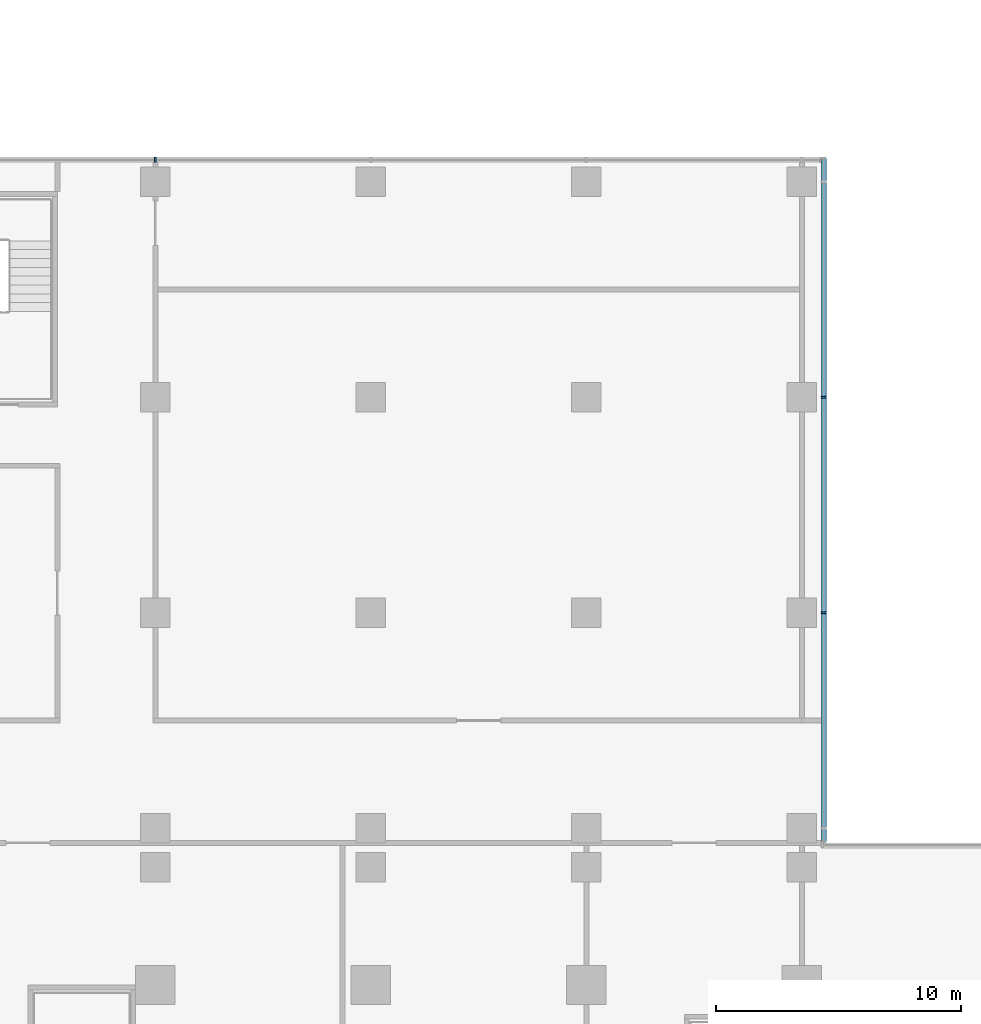
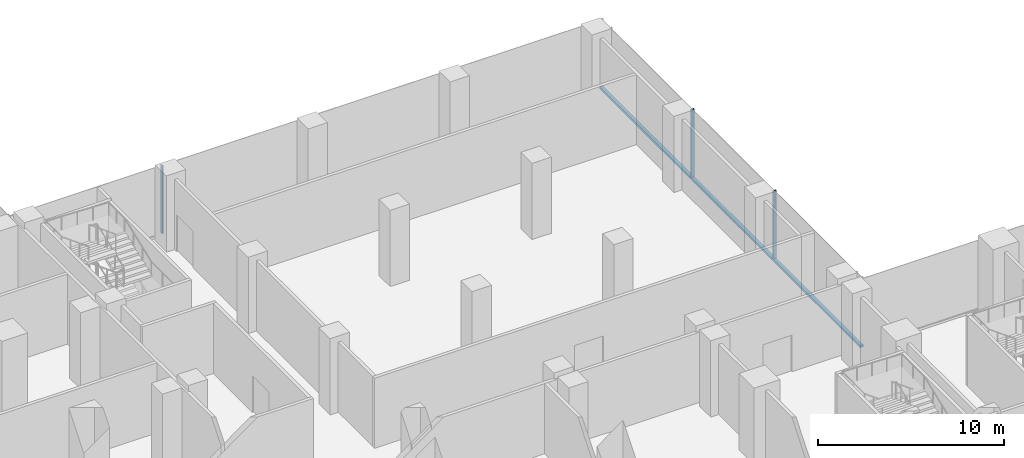
# One storey, part 8 of 30: 4 members, 2 elements without a shape of their own.
"""IFC4 building model written with IfcOpenShell, lengths in metres."""

from ifc_helpers import new_model, si_unit, direction, frame, origin, origin_2d, place, context, subcontext, project, spatial, rectangle, extrude, source, transform, mapped, material, material_profile, profile_set, type_object, element, aggregate, save


model = new_model("IFC4")

# Units and contexts
model_context = context("Model", 3, precision=1e-05, world=origin(), true_north=direction((0.0, 1.0)))
body_context = subcontext(model_context, "Body", "Model", "MODEL_VIEW")
ifc_project = project(units=[si_unit("LENGTHUNIT", "METRE"), si_unit("AREAUNIT", "SQUARE_METRE"), si_unit("VOLUMEUNIT", "CUBIC_METRE"), si_unit("PLANEANGLEUNIT", "RADIAN"), si_unit("MASSUNIT", "GRAM", prefix="KILO")], contexts=[model_context])

# Site, building, storey
site_placement = place(None, origin())
site = spatial("IfcSite", under=ifc_project, at=site_placement, CompositionType="ELEMENT")
building_placement = place(site_placement, origin())
building = spatial("IfcBuilding", under=site, at=building_placement, Name="Kemantara Hotel Tower", CompositionType="ELEMENT")
storey_placement = place(building_placement, frame((0.0, 0.0, 13.0)))
storey = spatial("IfcBuildingStorey", under=building, at=storey_placement, Name="L02", CompositionType="ELEMENT", Elevation=13.0)

# Curtain wall, members
ifc_material_1 = material(Name="Laminated tinted insulated glass 44 mm", Category="glass")
curtain_wall_type = type_object("IfcCurtainWallType", Name="PODIUM GLASS CURTAIN WALL", PredefinedType="USERDEFINED", material=ifc_material_1)
curtain_wall_1_placement = place(storey_placement, origin())
curtain_wall_1 = element("IfcCurtainWall", 1, at=curtain_wall_1_placement, inside=storey, type_object=curtain_wall_type, Name="CW1 L02 POD-R08-1", ObjectType="PODIUM GLASS CURTAIN WALL", PredefinedType="USERDEFINED")
ifc_material_2 = material(Name="Aluminium 6063-T6 bronze anodised", Category="aluminium")
ifc_material_profile_1 = material_profile(ifc_material_2, rectangle(XDim=0.199951171875, YDim=0.14990234375, at=origin_2d()), Name="PODIUM GLASS CURTAIN WALL TRANSOM")
ifc_profile_set_1 = profile_set([ifc_material_profile_1], Name="Aluminium 6063-T6 bronze anodised")
member_type_1 = type_object("IfcMemberType", Name="PODIUM GLASS CURTAIN WALL TRANSOM", PredefinedType="USERDEFINED", material=ifc_profile_set_1)
member_1_placement = place(storey_placement, frame((63.5, 26.800048828125, 0.074951171875), z_axis=(0.0, 1.0, 0.0), x_axis=(-1.0, 0.0, 0.0)))
member_1 = element("IfcMember", 2, at=member_1_placement, type_object=member_type_1, Name="CW1 sill transom POD-R08-1", ObjectType="TRANSOM", PredefinedType="USERDEFINED", context=body_context, shape_type="SweptSolid", body=[
    extrude(rectangle(XDim=0.199951171875, YDim=0.14990234375, at=origin_2d()), origin(), (0.0, 0.0, 1.0), 28.0),
])
ifc_material_profile_2 = material_profile(ifc_material_2, rectangle(XDim=0.199951171875, YDim=0.074951171875, at=origin_2d()), Name="PODIUM GLASS CURTAIN WALL MULLION")
ifc_profile_set_2 = profile_set([ifc_material_profile_2], Name="Aluminium 6063-T6 bronze anodised")
member_type_2 = type_object("IfcMemberType", Name="PODIUM GLASS CURTAIN WALL MULLION", PredefinedType="MULLION", material=ifc_profile_set_2)
shared_shape = source(origin(), body_context, "Body", "SweptSolid", [
    extrude(rectangle(XDim=0.199951171875, YDim=0.074951171875, at=origin_2d()), origin(), (0.0, 0.0, 1.0), 4.4501953125),
])
member_2_placement = place(storey_placement, frame((63.5, 36.199951171875, 0.14990234375), z_axis=(0.0, 0.0, 1.0), x_axis=(-1.0, 0.0, 0.0)))
member_2 = element("IfcMember", 3, at=member_2_placement, type_object=member_type_2, Name="CW1 mullion POD-R08-1.3", PredefinedType="MULLION", context=body_context, shape_type="MappedRepresentation", body=[
    mapped(shared_shape, transform((0.0, 0.0, 0.0))),
])
member_3_placement = place(storey_placement, frame((63.5, 45.0, 0.14990234375), z_axis=(0.0, 0.0, 1.0), x_axis=(-1.0, 0.0, 0.0)))
member_3 = element("IfcMember", 4, at=member_3_placement, type_object=member_type_2, Name="CW1 mullion POD-R08-1.4", PredefinedType="MULLION", context=body_context, shape_type="MappedRepresentation", body=[
    mapped(shared_shape, transform((0.0, 0.0, 0.0))),
])
aggregate(curtain_wall_1, [member_1, member_2, member_3])

# Curtain wall, member
curtain_wall_2_placement = place(storey_placement, origin())
curtain_wall_2 = element("IfcCurtainWall", 5, at=curtain_wall_2_placement, inside=storey, type_object=curtain_wall_type, Name="CW1 L02 POD-R09-1", ObjectType="PODIUM GLASS CURTAIN WALL", PredefinedType="USERDEFINED")
member_4_placement = place(storey_placement, frame((36.199951171875, 54.699951171875, 0.14990234375), z_axis=(0.0, 0.0, 1.0), x_axis=(0.0, -1.0, 0.0)))
member_4 = element("IfcMember", 6, at=member_4_placement, type_object=member_type_2, Name="CW1 mullion POD-R09-1.5", PredefinedType="MULLION", context=body_context, shape_type="MappedRepresentation", body=[
    mapped(shared_shape, transform((0.0, 0.0, 0.0))),
])
aggregate(curtain_wall_2, [member_4])

save(model, "model.ifc")
